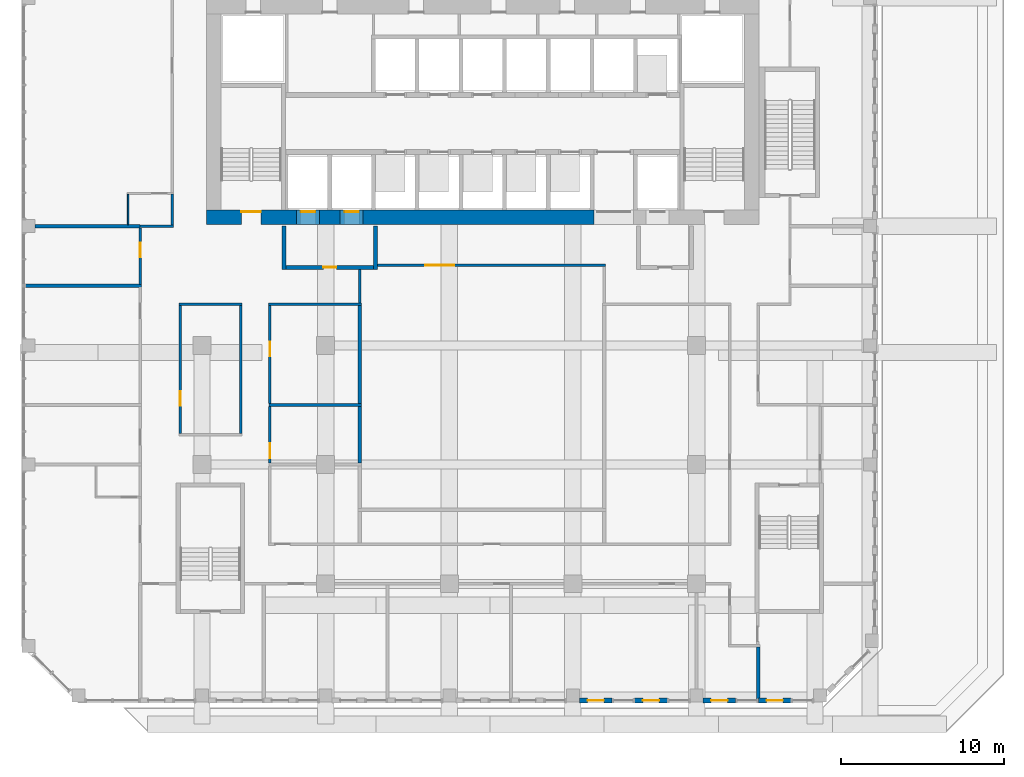
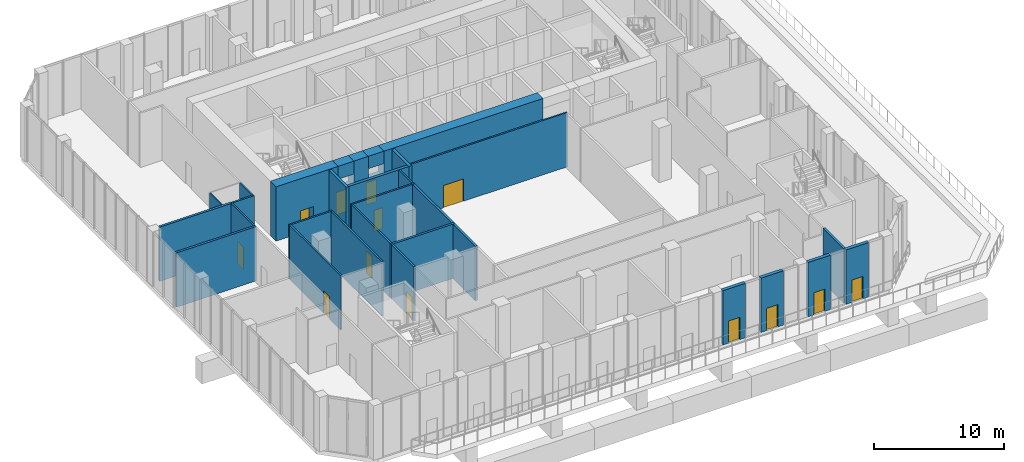
# One storey, part 10 of 19: 32 walls, 13 doors, 13 openings.
"""IFC4 building model written with IfcOpenShell, lengths in metres."""

from ifc_helpers import new_model, si_unit, direction, frame, frame_2d, origin, place, context, subcontext, project, spatial, rectangle, extrude, source, transform, mapped, material, layer, layer_set, type_object, element, fill, save


model = new_model("IFC4")

# Units and contexts
model_context = context("Model", 3, precision=1e-05, world=origin(), true_north=direction((0.0, 1.0)))
body_context = subcontext(model_context, "Body", "Model", "MODEL_VIEW")
ifc_project = project(units=[si_unit("LENGTHUNIT", "METRE"), si_unit("AREAUNIT", "SQUARE_METRE"), si_unit("VOLUMEUNIT", "CUBIC_METRE"), si_unit("PLANEANGLEUNIT", "RADIAN"), si_unit("MASSUNIT", "GRAM", prefix="KILO")], contexts=[model_context])

# Site, building, storey
site_placement = place(None, origin())
site = spatial("IfcSite", under=ifc_project, at=site_placement, CompositionType="ELEMENT")
building_placement = place(site_placement, origin())
building = spatial("IfcBuilding", under=site, at=building_placement, Name="Kilnfold Tower and Market Hall", CompositionType="ELEMENT")
storey_placement = place(building_placement, frame((0.0, 0.0, 138.5)))
storey = spatial("IfcBuildingStorey", under=building, at=storey_placement, Name="L31", CompositionType="ELEMENT", Elevation=138.5)

# Wall, opening, door
ifc_material_1 = material(Name="Gypsum board on steel studs", Category="steel")
ifc_layer_1 = layer(ifc_material_1, 0.14990234375)
ifc_layer_set_1 = layer_set([ifc_layer_1], Name="Gypsum board on steel studs")
wall_type_1 = type_object("IfcWallType", Name="WALL CORRIDOR 150", PredefinedType="PARTITIONING", material=ifc_layer_set_1)
wall_1_placement = place(storey_placement, frame((-19.958984375, 4.43408203125, 0.0), z_axis=(0.0, 0.0, 1.0), x_axis=(0.0, 1.0, 0.0)))
wall_1 = element("IfcWall", 1, at=wall_1_placement, inside=storey, type_object=wall_type_1, Name="Partition LY20.14", PredefinedType="PARTITIONING", context=body_context, shape_type="SweptSolid", body=[
    extrude(rectangle(XDim=3.4658203125, YDim=0.14990234375, at=frame_2d((1.73291015625, 0.0))), origin(), (0.0, 0.0, 1.0), 5.1201171875),
])
opening_1_placement = place(wall_1_placement, frame((1.64404296875, 0.0, 0.0)))
opening_1 = element("IfcOpeningElement", 2, at=opening_1_placement, cuts=wall_1, Name="Opening D2", PredefinedType="OPENING", context=body_context, shape_type="SweptSolid", body=[
    extrude(rectangle(XDim=0.89990234375, YDim=2.10009765625, at=frame_2d((0.449951171875, 1.050048828125))), frame((0.0, 0.0849609375, 0.0), z_axis=(0.0, -1.0, 0.0), x_axis=(1.0, 0.0, 0.0)), (0.0, 0.0, 1.0), 0.169921875),
])
ifc_material_2 = material(Name="Timber veneer door leaf in steel frame", Category="steel")
door_type_1 = type_object("IfcDoorType", Name="DOOR ROOM 900 X2100", OperationType="NOTDEFINED", PredefinedType="DOOR", material=ifc_material_2)
door_1_placement = place(opening_1_placement, origin())
door_1 = element("IfcDoor", 3, at=door_1_placement, inside=storey, type_object=door_type_1, Name="Door D2", OperationType="SINGLE_SWING_RIGHT", OverallHeight=2.10009765625, OverallWidth=0.89990234375, PredefinedType="DOOR", context=body_context, shape_type="SweptSolid", body=[
    extrude(rectangle(XDim=0.89990234375, YDim=2.10009765625, at=frame_2d((0.449951171875, 1.050048828125))), frame((0.0, 0.02490234375, 0.0), z_axis=(0.0, -1.0, 0.0), x_axis=(1.0, 0.0, 0.0)), (0.0, 0.0, 1.0), 0.050048828125),
])
fill(opening_1, door_1)

# Walls
wall_2_placement = place(storey_placement, frame((-17.925048828125, 8.0, 0.0), z_axis=(0.0, 0.0, 1.0), x_axis=(-1.0, 0.0, 0.0)))
element("IfcWall", 4, at=wall_2_placement, inside=storey, type_object=wall_type_1, Name="Partition LY20.18", PredefinedType="PARTITIONING", context=body_context, shape_type="SweptSolid", body=[
    extrude(rectangle(XDim=2.033935546875, YDim=0.14990234375, at=frame_2d((1.01708984375, 0.0))), origin(), (0.0, 0.0, 1.0), 5.1201171875),
])
wall_3_placement = place(storey_placement, frame((-18.0, 8.074951171875, 0.0), z_axis=(0.0, 0.0, 1.0), x_axis=(0.0, 1.0, 0.0)))
element("IfcWall", 5, at=wall_3_placement, inside=storey, type_object=wall_type_1, Name="Partition LY20.19", PredefinedType="PARTITIONING", context=body_context, shape_type="SweptSolid", body=[
    extrude(rectangle(XDim=1.885009765625, YDim=0.14990234375, at=frame_2d((0.9423828125, 0.0))), origin(), (0.0, 0.0, 1.0), 5.1201171875),
])

# Wall, opening, door
wall_4_placement = place(storey_placement, frame((-12.0, -6.534912109375, 0.0), z_axis=(0.0, 0.0, 1.0), x_axis=(0.0, 1.0, 0.0)))
wall_4 = element("IfcWall", 6, at=wall_4_placement, inside=storey, type_object=wall_type_1, Name="Partition LY20.33", PredefinedType="PARTITIONING", context=body_context, shape_type="SweptSolid", body=[
    extrude(rectangle(XDim=3.475830078125, YDim=0.14990234375, at=frame_2d((1.73779296875, 0.0))), origin(), (0.0, 0.0, 1.0), 5.1201171875),
])
opening_2_placement = place(wall_4_placement, frame((0.303955078125, 0.0, 0.0)))
opening_2 = element("IfcOpeningElement", 7, at=opening_2_placement, cuts=wall_4, Name="Opening D2", PredefinedType="OPENING", context=body_context, shape_type="SweptSolid", body=[
    extrude(rectangle(XDim=0.89990234375, YDim=2.10009765625, at=frame_2d((0.449951171875, 1.050048828125))), frame((0.0, 0.0849609375, 0.0), z_axis=(0.0, -1.0, 0.0), x_axis=(1.0, 0.0, 0.0)), (0.0, 0.0, 1.0), 0.169921875),
])
door_2_placement = place(opening_2_placement, origin())
door_2 = element("IfcDoor", 8, at=door_2_placement, inside=storey, type_object=door_type_1, Name="Door D2", OperationType="SINGLE_SWING_RIGHT", OverallHeight=2.10009765625, OverallWidth=0.89990234375, PredefinedType="DOOR", context=body_context, shape_type="SweptSolid", body=[
    extrude(rectangle(XDim=0.89990234375, YDim=2.10009765625, at=frame_2d((0.449951171875, 1.050048828125))), frame((0.0, 0.02490234375, 0.0), z_axis=(0.0, -1.0, 0.0), x_axis=(1.0, 0.0, 0.0)), (0.0, 0.0, 1.0), 0.050048828125),
])
fill(opening_2, door_2)

# Wall
wall_5_placement = place(storey_placement, frame((-12.074951171875, 3.199951171875, 0.0), z_axis=(0.0, 0.0, 1.0), x_axis=(1.0, 0.0, 0.0)))
element("IfcWall", 9, at=wall_5_placement, inside=storey, type_object=wall_type_1, Name="Partition LY20.34", PredefinedType="PARTITIONING", context=body_context, shape_type="SweptSolid", body=[
    extrude(rectangle(XDim=5.675048828125, YDim=0.14990234375, at=frame_2d((2.83740234375, 0.0))), origin(), (0.0, 0.0, 1.0), 5.1201171875),
])

# Wall, opening, door
wall_6_placement = place(storey_placement, frame((-12.0, -2.87890625, 0.0), z_axis=(0.0, 0.0, 1.0), x_axis=(0.0, 1.0, 0.0)))
wall_6 = element("IfcWall", 10, at=wall_6_placement, inside=storey, type_object=wall_type_1, Name="Partition LY20.35", PredefinedType="PARTITIONING", context=body_context, shape_type="SweptSolid", body=[
    extrude(rectangle(XDim=6.00390625, YDim=0.14990234375, at=frame_2d((3.001953125, 0.0))), origin(), (0.0, 0.0, 1.0), 5.1201171875),
])
opening_3_placement = place(wall_6_placement, frame((2.902099609375, 0.0, 0.0)))
opening_3 = element("IfcOpeningElement", 11, at=opening_3_placement, cuts=wall_6, Name="Opening D2", PredefinedType="OPENING", context=body_context, shape_type="SweptSolid", body=[
    extrude(rectangle(XDim=0.89990234375, YDim=2.10009765625, at=frame_2d((0.449951171875, 1.050048828125))), frame((0.0, 0.0849609375, 0.0), z_axis=(0.0, -1.0, 0.0), x_axis=(1.0, 0.0, 0.0)), (0.0, 0.0, 1.0), 0.169921875),
])
door_3_placement = place(opening_3_placement, origin())
door_3 = element("IfcDoor", 12, at=door_3_placement, inside=storey, type_object=door_type_1, Name="Door D2", OperationType="SINGLE_SWING_RIGHT", OverallHeight=2.10009765625, OverallWidth=0.89990234375, PredefinedType="DOOR", context=body_context, shape_type="SweptSolid", body=[
    extrude(rectangle(XDim=0.89990234375, YDim=2.10009765625, at=frame_2d((0.449951171875, 1.050048828125))), frame((0.0, 0.02490234375, 0.0), z_axis=(0.0, -1.0, 0.0), x_axis=(1.0, 0.0, 0.0)), (0.0, 0.0, 1.0), 0.050048828125),
])
fill(opening_3, door_3)

# Wall
wall_7_placement = place(storey_placement, frame((-17.574951171875, 3.199951171875, 0.0), z_axis=(0.0, 0.0, 1.0), x_axis=(1.0, 0.0, 0.0)))
element("IfcWall", 13, at=wall_7_placement, inside=storey, type_object=wall_type_1, Name="Partition LY20.36", PredefinedType="PARTITIONING", context=body_context, shape_type="SweptSolid", body=[
    extrude(rectangle(XDim=3.849853515625, YDim=0.14990234375, at=frame_2d((1.9248046875, 0.0))), origin(), (0.0, 0.0, 1.0), 5.1201171875),
])

# Wall, opening, door
wall_8_placement = place(storey_placement, frame((-17.5, -4.72509765625, 0.0), z_axis=(0.0, 0.0, 1.0), x_axis=(0.0, 1.0, 0.0)))
wall_8 = element("IfcWall", 14, at=wall_8_placement, inside=storey, type_object=wall_type_1, Name="Partition LY20.37", PredefinedType="PARTITIONING", context=body_context, shape_type="SweptSolid", body=[
    extrude(rectangle(XDim=7.85009765625, YDim=0.14990234375, at=frame_2d((3.925048828125, 0.0))), origin(), (0.0, 0.0, 1.0), 5.1201171875),
])
opening_4_placement = place(wall_8_placement, frame((1.7119140625, 0.0, 0.0)))
opening_4 = element("IfcOpeningElement", 15, at=opening_4_placement, cuts=wall_8, Name="Opening D2", PredefinedType="OPENING", context=body_context, shape_type="SweptSolid", body=[
    extrude(rectangle(XDim=0.89990234375, YDim=2.10009765625, at=frame_2d((0.449951171875, 1.050048828125))), frame((0.0, 0.0849609375, 0.0), z_axis=(0.0, -1.0, 0.0), x_axis=(1.0, 0.0, 0.0)), (0.0, 0.0, 1.0), 0.169921875),
])
door_4_placement = place(opening_4_placement, origin())
door_4 = element("IfcDoor", 16, at=door_4_placement, inside=storey, type_object=door_type_1, Name="Door D2", OperationType="SINGLE_SWING_RIGHT", OverallHeight=2.10009765625, OverallWidth=0.89990234375, PredefinedType="DOOR", context=body_context, shape_type="SweptSolid", body=[
    extrude(rectangle(XDim=0.89990234375, YDim=2.10009765625, at=frame_2d((0.449951171875, 1.050048828125))), frame((0.0, 0.02490234375, 0.0), z_axis=(0.0, -1.0, 0.0), x_axis=(1.0, 0.0, 0.0)), (0.0, 0.0, 1.0), 0.050048828125),
])
fill(opening_4, door_4)

# Walls
wall_9_placement = place(storey_placement, frame((-13.800048828125, 3.125, 0.0), z_axis=(0.0, 0.0, 1.0), x_axis=(0.0, -1.0, 0.0)))
element("IfcWall", 17, at=wall_9_placement, inside=storey, type_object=wall_type_1, Name="Partition LY20.39", PredefinedType="PARTITIONING", context=body_context, shape_type="SweptSolid", body=[
    extrude(rectangle(XDim=7.85009765625, YDim=0.14990234375, at=frame_2d((3.925048828125, 0.0))), origin(), (0.0, 0.0, 1.0), 5.1201171875),
])
wall_10_placement = place(storey_placement, frame((-6.5, 3.27490234375, 0.0), z_axis=(0.0, 0.0, 1.0), x_axis=(0.0, 1.0, 0.0)))
element("IfcWall", 18, at=wall_10_placement, inside=storey, type_object=wall_type_1, Name="Partition LY20.42", PredefinedType="PARTITIONING", context=body_context, shape_type="SweptSolid", body=[
    extrude(rectangle(XDim=2.0751953125, YDim=0.14990234375, at=frame_2d((1.03759765625, 0.0))), origin(), (0.0, 0.0, 1.0), 5.1201171875),
])

# Wall, opening, door
wall_11_placement = place(storey_placement, frame((-5.39990234375, 5.60009765625, 0.0), z_axis=(0.0, 0.0, 1.0), x_axis=(1.0, 0.0, 0.0)))
wall_11 = element("IfcWall", 19, at=wall_11_placement, inside=storey, type_object=wall_type_1, Name="Partition LY20.44", PredefinedType="PARTITIONING", context=body_context, shape_type="SweptSolid", body=[
    extrude(rectangle(XDim=13.974853515625, YDim=0.14990234375, at=frame_2d((6.9873046875, 0.0))), origin(), (0.0, 0.0, 1.0), 5.1201171875),
])
opening_5_placement = place(wall_11_placement, frame((2.9169921875, 0.0, 0.0)))
opening_5 = element("IfcOpeningElement", 20, at=opening_5_placement, cuts=wall_11, Name="Opening D5", PredefinedType="OPENING", context=body_context, shape_type="SweptSolid", body=[
    extrude(rectangle(XDim=1.800048828125, YDim=2.10009765625, at=frame_2d((0.89990234375, 1.050048828125))), frame((0.0, 0.0849609375, 0.0), z_axis=(0.0, -1.0, 0.0), x_axis=(1.0, 0.0, 0.0)), (0.0, 0.0, 1.0), 0.169921875),
])
ifc_material_3 = material(Name="Timber veneer door leaf in steel frame", Category="steel")
door_type_2 = type_object("IfcDoorType", Name="DOOR DOUBLE 1800 X2100", OperationType="NOTDEFINED", PredefinedType="DOOR", material=ifc_material_3)
door_5_placement = place(opening_5_placement, origin())
door_5 = element("IfcDoor", 21, at=door_5_placement, inside=storey, type_object=door_type_2, Name="Door D5", OperationType="DOUBLE_DOOR_SINGLE_SWING", OverallHeight=2.10009765625, OverallWidth=1.800048828125, PredefinedType="DOOR", context=body_context, shape_type="SweptSolid", body=[
    extrude(rectangle(XDim=1.800048828125, YDim=2.10009765625, at=frame_2d((0.89990234375, 1.050048828125))), frame((0.0, 0.02490234375, 0.0), z_axis=(0.0, -1.0, 0.0), x_axis=(1.0, 0.0, 0.0)), (0.0, 0.0, 1.0), 0.050048828125),
])
fill(opening_5, door_5)

# Walls
ifc_material_4 = material(Name="Gypsum board on steel studs", Category="steel")
ifc_layer_2 = layer(ifc_material_4, 0.10009765625)
ifc_layer_set_2 = layer_set([ifc_layer_2], Name="Gypsum board on steel studs")
wall_type_2 = type_object("IfcWallType", Name="WALL PARTITION 100", PredefinedType="PARTITIONING", material=ifc_layer_set_2)
wall_12_placement = place(storey_placement, frame((-20.701904296875, 8.10009765625, 0.0), z_axis=(0.0, 0.0, 1.0), x_axis=(0.0, 1.0, 0.0)))
element("IfcWall", 22, at=wall_12_placement, inside=storey, type_object=wall_type_2, Name="Partition LY20.59", PredefinedType="PARTITIONING", context=body_context, shape_type="SweptSolid", body=[
    extrude(rectangle(XDim=1.849853515625, YDim=0.10009765625, at=frame_2d((0.9248046875, 0.0))), origin(), (0.0, 0.0, 1.0), 5.1201171875),
])
ifc_material_5 = material(Name="Gypsum board on steel studs", Category="steel")
ifc_layer_3 = layer(ifc_material_5, 0.199951171875)
ifc_layer_set_3 = layer_set([ifc_layer_3], Name="Gypsum board on steel studs")
wall_type_3 = type_object("IfcWallType", Name="WALL PARTY 200", PredefinedType="PARTITIONING", material=ifc_layer_set_3)
wall_13_placement = place(storey_placement, frame((17.958984375, -21.0, 0.0), z_axis=(0.0, 0.0, 1.0), x_axis=(0.0, 1.0, 0.0)))
element("IfcWall", 23, at=wall_13_placement, inside=storey, type_object=wall_type_3, Name="Partition LY20.50", PredefinedType="PARTITIONING", context=body_context, shape_type="SweptSolid", body=[
    extrude(rectangle(XDim=3.173095703125, YDim=0.199951171875, at=frame_2d((1.58642578125, 0.0))), origin(), (0.0, 0.0, 1.0), 5.1201171875),
])
wall_14_placement = place(storey_placement, frame((-27.0, 4.343994140625, 0.0), z_axis=(0.0, 0.0, 1.0), x_axis=(1.0, 0.0, 0.0)))
element("IfcWall", 24, at=wall_14_placement, inside=storey, type_object=wall_type_3, Name="Partition LY20.56", PredefinedType="PARTITIONING", context=body_context, shape_type="SweptSolid", body=[
    extrude(rectangle(XDim=7.114013671875, YDim=0.199951171875, at=frame_2d((3.55712890625, 0.0))), origin(), (0.0, 0.0, 1.0), 5.1201171875),
])
wall_15_placement = place(storey_placement, frame((-26.39990234375, 8.0, 0.0), z_axis=(0.0, 0.0, 1.0), x_axis=(1.0, 0.0, 0.0)))
element("IfcWall", 25, at=wall_15_placement, inside=storey, type_object=wall_type_3, Name="Partition LY20.57", PredefinedType="PARTITIONING", context=body_context, shape_type="SweptSolid", body=[
    extrude(rectangle(XDim=6.43896484375, YDim=0.199951171875, at=frame_2d((3.219482421875, 0.0))), origin(), (0.0, 0.0, 1.0), 5.1201171875),
])
wall_16_placement = place(storey_placement, frame((-12.072998046875, -2.968994140625, 0.0), z_axis=(0.0, 0.0, 1.0), x_axis=(1.0, 0.0, 0.0)))
element("IfcWall", 26, at=wall_16_placement, inside=storey, type_object=wall_type_3, Name="Partition LY20.75", PredefinedType="PARTITIONING", context=body_context, shape_type="SweptSolid", body=[
    extrude(rectangle(XDim=5.673095703125, YDim=0.199951171875, at=frame_2d((2.83642578125, 0.0))), origin(), (0.0, 0.0, 1.0), 5.1201171875),
])
wall_17_placement = place(storey_placement, frame((-6.5, -6.52490234375, 0.0), z_axis=(0.0, 0.0, 1.0), x_axis=(0.0, 1.0, 0.0)))
element("IfcWall", 27, at=wall_17_placement, inside=storey, type_object=wall_type_3, Name="Partition LY20.76", PredefinedType="PARTITIONING", context=body_context, shape_type="SweptSolid", body=[
    extrude(rectangle(XDim=3.455810546875, YDim=0.199951171875, at=frame_2d((1.72802734375, 0.0))), origin(), (0.0, 0.0, 1.0), 5.1201171875),
])
wall_18_placement = place(storey_placement, frame((-6.5, -2.868896484375, 0.0), z_axis=(0.0, 0.0, 1.0), x_axis=(0.0, 1.0, 0.0)))
element("IfcWall", 28, at=wall_18_placement, inside=storey, type_object=wall_type_3, Name="Partition LY20.77", PredefinedType="PARTITIONING", context=body_context, shape_type="SweptSolid", body=[
    extrude(rectangle(XDim=5.991943359375, YDim=0.199951171875, at=frame_2d((2.99609375, 0.0))), origin(), (0.0, 0.0, 1.0), 5.1201171875),
])

# Wall, opening, door
ifc_material_6 = material(Name="Concrete C70", Category="concrete")
ifc_layer_4 = layer(ifc_material_6, 0.89990234375)
ifc_layer_set_4 = layer_set([ifc_layer_4], Name="Concrete C70")
wall_type_4 = type_object("IfcWallType", Name="CORE WALL 900 C70", PredefinedType="SHEAR", material=ifc_layer_set_4)
shared_shape_1 = source(origin(), body_context, "Body", "SweptSolid", [
    extrude(rectangle(XDim=5.52978515625, YDim=0.89990234375, at=frame_2d((2.764892578125, 0.0))), origin(), (0.0, 0.0, 1.0), 5.1201171875),
])
wall_19_placement = place(storey_placement, frame((-15.89990234375, 8.550048828125, 0.0), z_axis=(0.0, 0.0, 1.0), x_axis=(1.0, 0.0, 0.0)))
wall_19 = element("IfcWall", 29, at=wall_19_placement, inside=storey, type_object=wall_type_4, Name="Core outer wall south", PredefinedType="SHEAR", context=body_context, shape_type="MappedRepresentation", body=[
    mapped(shared_shape_1, transform((0.0, 0.0, 0.0))),
])
opening_6_placement = place(wall_19_placement, frame((2.14990234375, 0.0, 0.0)))
opening_6 = element("IfcOpeningElement", 30, at=opening_6_placement, cuts=wall_19, Name="Opening SD1", PredefinedType="OPENING", context=body_context, shape_type="SweptSolid", body=[
    extrude(rectangle(XDim=1.199951171875, YDim=2.10009765625, at=frame_2d((0.60009765625, 1.050048828125))), frame((0.0, 0.4599609375, 0.0), z_axis=(0.0, -1.0, 0.0), x_axis=(1.0, 0.0, 0.0)), (0.0, 0.0, 1.0), 0.919921875),
])
ifc_material_7 = material(Name="Steel door set with fire-resisting leaf", Category="steel")
door_type_3 = type_object("IfcDoorType", Name="STAIR FLOOR DOOR 1200X2100", OperationType="NOTDEFINED", PredefinedType="DOOR", material=ifc_material_7)
door_6_placement = place(opening_6_placement, origin())
door_6 = element("IfcDoor", 31, at=door_6_placement, inside=storey, type_object=door_type_3, Name="Exit stair ST1 door", OperationType="DOUBLE_DOOR_SINGLE_SWING", OverallHeight=2.10009765625, OverallWidth=1.199951171875, PredefinedType="DOOR", context=body_context, shape_type="SweptSolid", body=[
    extrude(rectangle(XDim=1.199951171875, YDim=2.10009765625, at=frame_2d((0.60009765625, 1.050048828125))), frame((0.0, 0.35498046875, 0.0), z_axis=(0.0, -1.0, 0.0), x_axis=(1.0, 0.0, 0.0)), (0.0, 0.0, 1.0), 0.050048828125),
])
fill(opening_6, door_6)

# Walls
shared_shape_2 = source(origin(), body_context, "Body", "SweptSolid", [
    extrude(rectangle(XDim=1.280029296875, YDim=0.89990234375, at=frame_2d((0.64013671875, 0.0))), origin(), (0.0, 0.0, 1.0), 5.1201171875),
])
wall_20_placement = place(storey_placement, frame((-8.969970703125, 8.550048828125, 0.0), z_axis=(0.0, 0.0, 1.0), x_axis=(1.0, 0.0, 0.0)))
element("IfcWall", 32, at=wall_20_placement, inside=storey, type_object=wall_type_4, Name="Core outer wall south", PredefinedType="SHEAR", context=body_context, shape_type="MappedRepresentation", body=[
    mapped(shared_shape_2, transform((0.0, 0.0, 0.0))),
])
shared_shape_3 = source(origin(), body_context, "Body", "SweptSolid", [
    extrude(rectangle(XDim=14.179931640625, YDim=0.89990234375, at=frame_2d((7.08984375, 0.0))), origin(), (0.0, 0.0, 1.0), 5.1201171875),
])
wall_21_placement = place(storey_placement, frame((-6.2900390625, 8.550048828125, 0.0), z_axis=(0.0, 0.0, 1.0), x_axis=(1.0, 0.0, 0.0)))
element("IfcWall", 33, at=wall_21_placement, inside=storey, type_object=wall_type_4, Name="Core outer wall south", PredefinedType="SHEAR", context=body_context, shape_type="MappedRepresentation", body=[
    mapped(shared_shape_3, transform((0.0, 0.0, 0.0))),
])
shared_shape_4 = source(origin(), body_context, "Body", "SweptSolid", [
    extrude(rectangle(XDim=1.400146484375, YDim=0.89990234375, at=frame_2d((0.7001953125, 0.0))), origin(), (0.0, 0.0, 1.0), 1.22021484375),
])
wall_22_placement = place(storey_placement, frame((-10.3701171875, 8.550048828125, 3.89990234375), z_axis=(0.0, 0.0, 1.0), x_axis=(1.0, 0.0, 0.0)))
element("IfcWall", 34, at=wall_22_placement, inside=storey, type_object=wall_type_4, Name="Core wall over opening", PredefinedType="SHEAR", context=body_context, shape_type="MappedRepresentation", body=[
    mapped(shared_shape_4, transform((0.0, 0.0, 0.0))),
])
shared_shape_5 = source(origin(), body_context, "Body", "SweptSolid", [
    extrude(rectangle(XDim=1.39990234375, YDim=0.89990234375, at=frame_2d((0.699951171875, 0.0))), origin(), (0.0, 0.0, 1.0), 1.170166015625),
])
wall_23_placement = place(storey_placement, frame((-7.68994140625, 8.550048828125, 3.949951171875), z_axis=(0.0, 0.0, 1.0), x_axis=(1.0, 0.0, 0.0)))
element("IfcWall", 35, at=wall_23_placement, inside=storey, type_object=wall_type_4, Name="Core wall over opening", PredefinedType="SHEAR", context=body_context, shape_type="MappedRepresentation", body=[
    mapped(shared_shape_5, transform((0.0, 0.0, 0.0))),
])

# Wall, opening, door
ifc_material_8 = material(Name="Precast concrete C50/60", Category="concrete")
ifc_layer_5 = layer(ifc_material_8, 0.300048828125)
ifc_layer_set_5 = layer_set([ifc_layer_5], Name="Precast concrete C50/60")
wall_type_5 = type_object("IfcWallType", Name="PRECAST WALL 300", PredefinedType="SOLIDWALL", material=ifc_layer_set_5)
shared_shape_6 = source(origin(), body_context, "Body", "SweptSolid", [
    extrude(rectangle(XDim=2.0, YDim=0.300048828125, at=frame_2d((1.0, 0.0))), origin(), (0.0, 0.0, 1.0), 5.1201171875),
])
wall_24_placement = place(storey_placement, frame((6.9833984375, -21.10009765625, 0.0), z_axis=(0.0, 0.0, 1.0), x_axis=(1.0, 0.0, 0.0)))
wall_24 = element("IfcWall", 36, at=wall_24_placement, inside=storey, type_object=wall_type_5, Name="External wall L31 S", PredefinedType="SOLIDWALL", context=body_context, shape_type="MappedRepresentation", body=[
    mapped(shared_shape_6, transform((0.0, 0.0, 0.0))),
])
opening_7_placement = place(wall_24_placement, frame((0.5, 0.0, 0.0)))
opening_7 = element("IfcOpeningElement", 37, at=opening_7_placement, cuts=wall_24, Name="Opening BD1", PredefinedType="OPENING", context=body_context, shape_type="SweptSolid", body=[
    extrude(rectangle(XDim=1.0, YDim=2.10009765625, at=frame_2d((0.5, 1.050048828125))), frame((0.0, 0.16015625, 0.0), z_axis=(0.0, -1.0, 0.0), x_axis=(1.0, 0.0, 0.0)), (0.0, 0.0, 1.0), 0.320068359375),
])
ifc_material_9 = material(Name="Aluminium frame and double glazing", Category="aluminium")
door_type_4 = type_object("IfcDoorType", Name="BALCONY DOOR 1000X2100", OperationType="NOTDEFINED", PredefinedType="DOOR", material=ifc_material_9)
door_7_placement = place(opening_7_placement, origin())
door_7 = element("IfcDoor", 38, at=door_7_placement, inside=storey, type_object=door_type_4, Name="Balcony door BD1 L31 S-1", OperationType="SINGLE_SWING_LEFT", OverallHeight=2.10009765625, OverallWidth=1.0, PredefinedType="DOOR", context=body_context, shape_type="SweptSolid", body=[
    extrude(rectangle(XDim=1.0, YDim=2.10009765625, at=frame_2d((0.5, 1.050048828125))), frame((0.0, 0.02490234375, 0.0), z_axis=(0.0, -1.0, 0.0), x_axis=(1.0, 0.0, 0.0)), (0.0, 0.0, 1.0), 0.050048828125),
])
fill(opening_7, door_7)

wall_25_placement = place(storey_placement, frame((10.375, -21.10009765625, 0.0), z_axis=(0.0, 0.0, 1.0), x_axis=(1.0, 0.0, 0.0)))
wall_25 = element("IfcWall", 39, at=wall_25_placement, inside=storey, type_object=wall_type_5, Name="External wall L31 S", PredefinedType="SOLIDWALL", context=body_context, shape_type="MappedRepresentation", body=[
    mapped(shared_shape_6, transform((0.0, 0.0, 0.0))),
])
opening_8_placement = place(wall_25_placement, frame((0.5, 0.0, 0.0)))
opening_8 = element("IfcOpeningElement", 40, at=opening_8_placement, cuts=wall_25, Name="Opening BD1", PredefinedType="OPENING", context=body_context, shape_type="SweptSolid", body=[
    extrude(rectangle(XDim=1.0, YDim=2.10009765625, at=frame_2d((0.5, 1.050048828125))), frame((0.0, 0.16015625, 0.0), z_axis=(0.0, -1.0, 0.0), x_axis=(1.0, 0.0, 0.0)), (0.0, 0.0, 1.0), 0.320068359375),
])
door_8_placement = place(opening_8_placement, origin())
door_8 = element("IfcDoor", 41, at=door_8_placement, inside=storey, type_object=door_type_4, Name="Balcony door BD1 L31 S-2", OperationType="SINGLE_SWING_RIGHT", OverallHeight=2.10009765625, OverallWidth=1.0, PredefinedType="DOOR", context=body_context, shape_type="SweptSolid", body=[
    extrude(rectangle(XDim=1.0, YDim=2.10009765625, at=frame_2d((0.5, 1.050048828125))), frame((0.0, 0.02490234375, 0.0), z_axis=(0.0, -1.0, 0.0), x_axis=(1.0, 0.0, 0.0)), (0.0, 0.0, 1.0), 0.050048828125),
])
fill(opening_8, door_8)

wall_26_placement = place(storey_placement, frame((14.566650390625, -21.10009765625, 0.0), z_axis=(0.0, 0.0, 1.0), x_axis=(1.0, 0.0, 0.0)))
wall_26 = element("IfcWall", 42, at=wall_26_placement, inside=storey, type_object=wall_type_5, Name="External wall L31 S", PredefinedType="SOLIDWALL", context=body_context, shape_type="MappedRepresentation", body=[
    mapped(shared_shape_6, transform((0.0, 0.0, 0.0))),
])
opening_9_placement = place(wall_26_placement, frame((0.5, 0.0, 0.0)))
opening_9 = element("IfcOpeningElement", 43, at=opening_9_placement, cuts=wall_26, Name="Opening BD1", PredefinedType="OPENING", context=body_context, shape_type="SweptSolid", body=[
    extrude(rectangle(XDim=1.0, YDim=2.10009765625, at=frame_2d((0.5, 1.050048828125))), frame((0.0, 0.16015625, 0.0), z_axis=(0.0, -1.0, 0.0), x_axis=(1.0, 0.0, 0.0)), (0.0, 0.0, 1.0), 0.320068359375),
])
door_9_placement = place(opening_9_placement, origin())
door_9 = element("IfcDoor", 44, at=door_9_placement, inside=storey, type_object=door_type_4, Name="Balcony door BD1 L31 S-1", OperationType="SINGLE_SWING_LEFT", OverallHeight=2.10009765625, OverallWidth=1.0, PredefinedType="DOOR", context=body_context, shape_type="SweptSolid", body=[
    extrude(rectangle(XDim=1.0, YDim=2.10009765625, at=frame_2d((0.5, 1.050048828125))), frame((0.0, 0.02490234375, 0.0), z_axis=(0.0, -1.0, 0.0), x_axis=(1.0, 0.0, 0.0)), (0.0, 0.0, 1.0), 0.050048828125),
])
fill(opening_9, door_9)

wall_27_placement = place(storey_placement, frame((17.958251953125, -21.10009765625, 0.0), z_axis=(0.0, 0.0, 1.0), x_axis=(1.0, 0.0, 0.0)))
wall_27 = element("IfcWall", 45, at=wall_27_placement, inside=storey, type_object=wall_type_5, Name="External wall L31 S", PredefinedType="SOLIDWALL", context=body_context, shape_type="MappedRepresentation", body=[
    mapped(shared_shape_6, transform((0.0, 0.0, 0.0))),
])
opening_10_placement = place(wall_27_placement, frame((0.5, 0.0, 0.0)))
opening_10 = element("IfcOpeningElement", 46, at=opening_10_placement, cuts=wall_27, Name="Opening BD1", PredefinedType="OPENING", context=body_context, shape_type="SweptSolid", body=[
    extrude(rectangle(XDim=1.0, YDim=2.10009765625, at=frame_2d((0.5, 1.050048828125))), frame((0.0, 0.16015625, 0.0), z_axis=(0.0, -1.0, 0.0), x_axis=(1.0, 0.0, 0.0)), (0.0, 0.0, 1.0), 0.320068359375),
])
door_10_placement = place(opening_10_placement, origin())
door_10 = element("IfcDoor", 47, at=door_10_placement, inside=storey, type_object=door_type_4, Name="Balcony door BD1 L31 S-2", OperationType="SINGLE_SWING_RIGHT", OverallHeight=2.10009765625, OverallWidth=1.0, PredefinedType="DOOR", context=body_context, shape_type="SweptSolid", body=[
    extrude(rectangle(XDim=1.0, YDim=2.10009765625, at=frame_2d((0.5, 1.050048828125))), frame((0.0, 0.02490234375, 0.0), z_axis=(0.0, -1.0, 0.0), x_axis=(1.0, 0.0, 0.0)), (0.0, 0.0, 1.0), 0.050048828125),
])
fill(opening_10, door_10)

ifc_material_10 = material(Name="Gypsum shaft wall system")
ifc_layer_6 = layer(ifc_material_10, 0.89990234375)
ifc_layer_set_6 = layer_set([ifc_layer_6], Name="Gypsum shaft wall system")
wall_type_6 = type_object("IfcWallType", Name="LOBBY WALL 900", PredefinedType="PARTITIONING", material=ifc_layer_set_6)
shared_shape_7 = source(origin(), body_context, "Body", "SweptSolid", [
    extrude(rectangle(XDim=1.400146484375, YDim=0.89990234375, at=frame_2d((0.7001953125, 0.0))), origin(), (0.0, 0.0, 1.0), 2.699951171875),
])
wall_28_placement = place(storey_placement, frame((-10.3701171875, 8.550048828125, 0.0), z_axis=(0.0, 0.0, 1.0), x_axis=(1.0, 0.0, 0.0)))
wall_28 = element("IfcWall", 48, at=wall_28_placement, inside=storey, type_object=wall_type_6, Name="Core wall infill", PredefinedType="PARTITIONING", context=body_context, shape_type="MappedRepresentation", body=[
    mapped(shared_shape_7, transform((0.0, 0.0, 0.0))),
])
opening_11_placement = place(wall_28_placement, frame((0.25, 0.0, 0.0)))
opening_11 = element("IfcOpeningElement", 49, at=opening_11_placement, cuts=wall_28, Name="Opening LD1", PredefinedType="OPENING", context=body_context, shape_type="SweptSolid", body=[
    extrude(rectangle(XDim=0.89990234375, YDim=2.10009765625, at=frame_2d((0.449951171875, 1.050048828125))), frame((0.0, 0.4599609375, 0.0), z_axis=(0.0, -1.0, 0.0), x_axis=(1.0, 0.0, 0.0)), (0.0, 0.0, 1.0), 0.919921875),
])
ifc_material_11 = material(Name="Steel door set with fire-resisting leaf", Category="steel")
door_type_5 = type_object("IfcDoorType", Name="FIREFIGHTING LANDING DOOR 900X2100", OperationType="NOTDEFINED", PredefinedType="DOOR", material=ifc_material_11)
door_11_placement = place(opening_11_placement, origin())
door_11 = element("IfcDoor", 50, at=door_11_placement, inside=storey, type_object=door_type_5, Name="Landing door FF1", OperationType="SLIDING_TO_LEFT", OverallHeight=2.10009765625, OverallWidth=0.89990234375, PredefinedType="DOOR", context=body_context, shape_type="SweptSolid", body=[
    extrude(rectangle(XDim=0.89990234375, YDim=2.10009765625, at=frame_2d((0.449951171875, 1.050048828125))), frame((0.0, 0.35498046875, 0.0), z_axis=(0.0, -1.0, 0.0), x_axis=(1.0, 0.0, 0.0)), (0.0, 0.0, 1.0), 0.050048828125),
])
fill(opening_11, door_11)

shared_shape_8 = source(origin(), body_context, "Body", "SweptSolid", [
    extrude(rectangle(XDim=1.39990234375, YDim=0.89990234375, at=frame_2d((0.699951171875, 0.0))), origin(), (0.0, 0.0, 1.0), 2.699951171875),
])
wall_29_placement = place(storey_placement, frame((-7.68994140625, 8.550048828125, 0.0), z_axis=(0.0, 0.0, 1.0), x_axis=(1.0, 0.0, 0.0)))
wall_29 = element("IfcWall", 51, at=wall_29_placement, inside=storey, type_object=wall_type_6, Name="Core wall infill", PredefinedType="PARTITIONING", context=body_context, shape_type="MappedRepresentation", body=[
    mapped(shared_shape_8, transform((0.0, 0.0, 0.0))),
])
opening_12_placement = place(wall_29_placement, frame((0.25, 0.0, 0.0)))
opening_12 = element("IfcOpeningElement", 52, at=opening_12_placement, cuts=wall_29, Name="Opening LD1", PredefinedType="OPENING", context=body_context, shape_type="SweptSolid", body=[
    extrude(rectangle(XDim=0.89990234375, YDim=2.10009765625, at=frame_2d((0.449951171875, 1.050048828125))), frame((0.0, 0.4599609375, 0.0), z_axis=(0.0, -1.0, 0.0), x_axis=(1.0, 0.0, 0.0)), (0.0, 0.0, 1.0), 0.919921875),
])
door_12_placement = place(opening_12_placement, origin())
door_12 = element("IfcDoor", 53, at=door_12_placement, inside=storey, type_object=door_type_5, Name="Landing door FF2", OperationType="SLIDING_TO_RIGHT", OverallHeight=2.10009765625, OverallWidth=0.89990234375, PredefinedType="DOOR", context=body_context, shape_type="SweptSolid", body=[
    extrude(rectangle(XDim=0.89990234375, YDim=2.10009765625, at=frame_2d((0.449951171875, 1.050048828125))), frame((0.0, 0.35498046875, 0.0), z_axis=(0.0, -1.0, 0.0), x_axis=(1.0, 0.0, 0.0)), (0.0, 0.0, 1.0), 0.050048828125),
])
fill(opening_12, door_12)

# Walls
ifc_material_12 = material(Name="Gypsum shaft wall system")
ifc_layer_7 = layer(ifc_material_12, 0.25)
ifc_layer_set_7 = layer_set([ifc_layer_7], Name="Gypsum shaft wall system")
wall_type_7 = type_object("IfcWallType", Name="LOBBY WALL 250", PredefinedType="PARTITIONING", material=ifc_layer_set_7)
shared_shape_9 = source(origin(), body_context, "Body", "SweptSolid", [
    extrude(rectangle(XDim=2.64990234375, YDim=0.25, at=frame_2d((1.324951171875, 0.0))), origin(), (0.0, 0.0, 1.0), 5.1201171875),
])
for number, where, z_axis, x_axis, name in (
    (54, (-11.135009765625, 5.35009765625, 0.0), (0.0, 0.0, 1.0), (0.0, 1.0, 0.0), "Firefighting lobby wall"),
    (55, (-5.52490234375, 5.35009765625, 0.0), (0.0, 0.0, 1.0), (0.0, 1.0, 0.0), "Firefighting lobby wall"),
):
    element("IfcWall", number, at=place(storey_placement, frame(where, z_axis=z_axis, x_axis=x_axis)), inside=storey, type_object=wall_type_7, Name=name, PredefinedType="PARTITIONING", context=body_context, shape_type="MappedRepresentation", body=[
        mapped(shared_shape_9, transform((0.0, 0.0, 0.0))),
    ])

# Wall, opening, door
shared_shape_10 = source(origin(), body_context, "Body", "SweptSolid", [
    extrude(rectangle(XDim=5.360107421875, YDim=0.25, at=frame_2d((2.68017578125, 0.0))), origin(), (0.0, 0.0, 1.0), 5.1201171875),
])
wall_30_placement = place(storey_placement, frame((-11.010009765625, 5.47509765625, 0.0), z_axis=(0.0, 0.0, 1.0), x_axis=(1.0, 0.0, 0.0)))
wall_30 = element("IfcWall", 56, at=wall_30_placement, inside=storey, type_object=wall_type_7, Name="Firefighting lobby wall", PredefinedType="PARTITIONING", context=body_context, shape_type="MappedRepresentation", body=[
    mapped(shared_shape_10, transform((0.0, 0.0, 0.0))),
])
opening_13_placement = place(wall_30_placement, frame((2.280029296875, 0.0, 0.0)))
opening_13 = element("IfcOpeningElement", 57, at=opening_13_placement, cuts=wall_30, Name="Opening VD1", PredefinedType="OPENING", context=body_context, shape_type="SweptSolid", body=[
    extrude(rectangle(XDim=0.800048828125, YDim=2.0, at=frame_2d((0.39990234375, 1.0))), frame((0.0, 0.135009765625, 0.0), z_axis=(0.0, -1.0, 0.0), x_axis=(1.0, 0.0, 0.0)), (0.0, 0.0, 1.0), 0.27001953125),
])
ifc_material_13 = material(Name="Steel door set with fire-resisting leaf", Category="steel")
door_type_6 = type_object("IfcDoorType", Name="FIREFIGHTING LOBBY DOOR 800X2000", OperationType="NOTDEFINED", PredefinedType="DOOR", material=ifc_material_13)
door_13_placement = place(opening_13_placement, origin())
door_13 = element("IfcDoor", 58, at=door_13_placement, inside=storey, type_object=door_type_6, Name="Firefighting lobby door", OperationType="SINGLE_SWING_LEFT", OverallHeight=2.0, OverallWidth=0.800048828125, PredefinedType="DOOR", context=body_context, shape_type="SweptSolid", body=[
    extrude(rectangle(XDim=0.800048828125, YDim=2.0, at=frame_2d((0.39990234375, 1.0))), frame((0.0, 0.02490234375, 0.0), z_axis=(0.0, -1.0, 0.0), x_axis=(1.0, 0.0, 0.0)), (0.0, 0.0, 1.0), 0.050048828125),
])
fill(opening_13, door_13)

save(model, "model.ifc")
